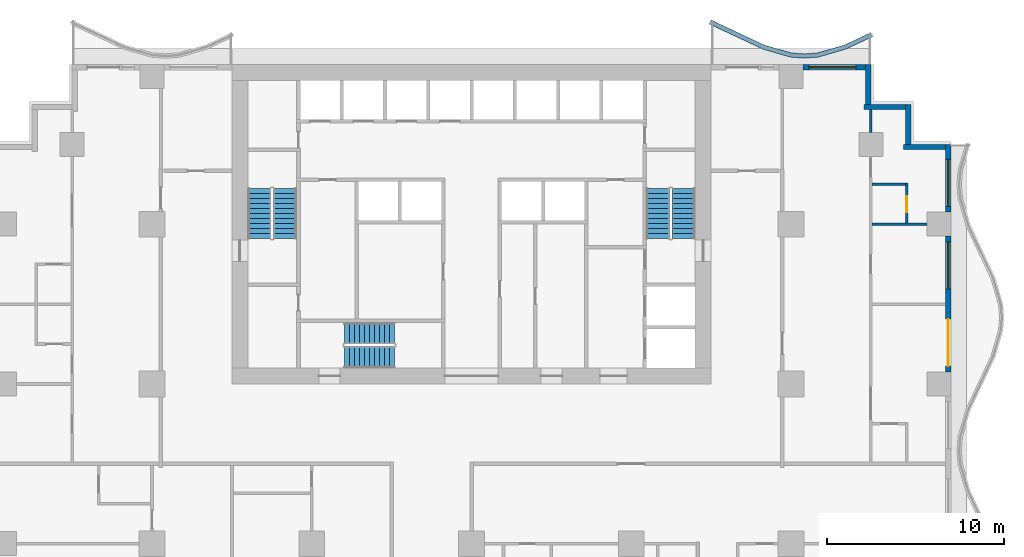
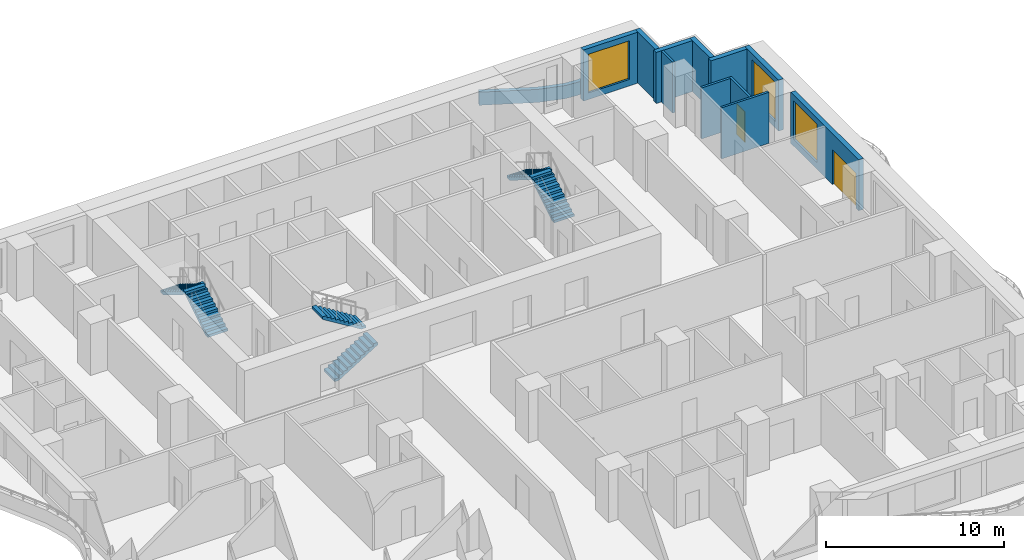
# One storey, part 7 of 14: 12 walls, 6 stair flights, 3 windows, 2 doors, 5 openings, 3 elements without a shape of their own.
"""IFC4 building model written with IfcOpenShell, lengths in metres."""

from ifc_helpers import new_model, si_unit, direction, frame, frame_2d, origin, place, context, subcontext, project, spatial, polyline, rectangle, outline, extrude, material, layer, layer_set, type_object, element, fill, aggregate, save


model = new_model("IFC4")

# Units and contexts
model_context = context("Model", 3, precision=1e-05, world=origin(), true_north=direction((0.0, 1.0)))
body_context = subcontext(model_context, "Body", "Model", "MODEL_VIEW")
ifc_project = project(units=[si_unit("LENGTHUNIT", "METRE"), si_unit("AREAUNIT", "SQUARE_METRE"), si_unit("VOLUMEUNIT", "CUBIC_METRE"), si_unit("PLANEANGLEUNIT", "RADIAN"), si_unit("MASSUNIT", "GRAM", prefix="KILO")], contexts=[model_context])

# Site, building, storey
site_placement = place(None, origin())
site = spatial("IfcSite", under=ifc_project, at=site_placement, CompositionType="ELEMENT")
building_placement = place(site_placement, origin())
building = spatial("IfcBuilding", under=site, at=building_placement, Name="Orbiselva Terraces", CompositionType="ELEMENT")
storey_placement = place(building_placement, frame((0.0, 0.0, 60.6)))
storey = spatial("IfcBuildingStorey", under=building, at=storey_placement, Name="L15", CompositionType="ELEMENT", Elevation=60.6)

# Wall
ifc_material_1 = material(Name="Concrete C40/50", Category="concrete")
ifc_layer_1 = layer(ifc_material_1, 0.25)
ifc_layer_set_1 = layer_set([ifc_layer_1], Name="Concrete C40/50")
wall_type_1 = type_object("IfcWallType", Name="ENV-PLANTER-250x900", PredefinedType="USERDEFINED", material=ifc_layer_set_1)
wall_1_placement = place(storey_placement, origin())
element("IfcWall", 1, at=wall_1_placement, inside=storey, type_object=wall_type_1, Name="Balcony planter L15 NE", ObjectType="PLANTER", PredefinedType="USERDEFINED", context=body_context, shape_type="SweptSolid", body=[
    extrude(outline(polyline([(22.5, 24.3), (21.0, 23.594658), (19.5, 23.158732), (18.75, 23.1), (18.0, 23.158732), (16.5, 23.594658), (15.0, 24.3), (13.5, 25.005342), (13.393617, 24.779106), (14.893617, 24.073764), (16.411382, 23.360069), (17.954886, 22.911499), (18.75, 22.849235), (19.545114, 22.911499), (21.088618, 23.360069), (22.606383, 24.073764), (22.5, 24.3)])), origin(), (0.0, 0.0, 1.0), 0.9),
])

# Wall, openings, door, window
ifc_material_2 = material(Name="Terracotta cladding on masonry backing", Category="masonry")
ifc_layer_2 = layer(ifc_material_2, 0.3)
ifc_layer_set_2 = layer_set([ifc_layer_2], Name="Terracotta cladding on masonry backing")
wall_type_2 = type_object("IfcWallType", Name="ENV-WALL-TERRACOTTA-300", PredefinedType="SOLIDWALL", material=ifc_layer_set_2)
wall_2_placement = place(storey_placement, frame((26.85, 12.825, 0.0), z_axis=(0.0, 0.0, 1.0), x_axis=(0.0, -1.0, 0.0)))
wall_2 = element("IfcWall", 2, at=wall_2_placement, inside=storey, type_object=wall_type_2, Name="Facade wall L15 E", PredefinedType="SOLIDWALL", context=body_context, shape_type="SweptSolid", body=[
    extrude(rectangle(XDim=7.65, YDim=0.3, at=frame_2d((3.825, 0.0))), origin(), (0.0, 0.0, 1.0), 3.5),
])
opening_1_placement = place(wall_2_placement, frame((4.675, 0.0, 0.0)))
opening_1 = element("IfcOpeningElement", 3, at=opening_1_placement, cuts=wall_2, Name="Opening Z1-E-E14", PredefinedType="OPENING", context=body_context, shape_type="SweptSolid", body=[
    extrude(rectangle(XDim=2.65, YDim=2.4, at=frame_2d((1.325, 1.2))), frame((0.0, 0.16, 0.0), z_axis=(0.0, -1.0, 0.0), x_axis=(1.0, 0.0, 0.0)), (0.0, 0.0, 1.0), 0.32),
])
opening_2_placement = place(wall_2_placement, frame((0.325, 0.0, 0.45)))
opening_2 = element("IfcOpeningElement", 4, at=opening_2_placement, cuts=wall_2, Name="Opening WN3", PredefinedType="OPENING", context=body_context, shape_type="SweptSolid", body=[
    extrude(rectangle(XDim=2.65, YDim=2.65, at=frame_2d((1.325, 1.325))), frame((0.0, 0.16, 0.0), z_axis=(0.0, -1.0, 0.0), x_axis=(1.0, 0.0, 0.0)), (0.0, 0.0, 1.0), 0.32),
])
ifc_material_3 = material(Name="Clear low-e glazing in aluminium frame", Category="aluminium")
door_type_1 = type_object("IfcDoorType", Name="BALCONY DOOR 2650 X 2400", OperationType="DOUBLE_DOOR_SLIDING", PredefinedType="DOOR", material=ifc_material_3)
door_1_placement = place(opening_1_placement, origin())
door_1 = element("IfcDoor", 5, at=door_1_placement, inside=storey, type_object=door_type_1, Name="Z1-E-E14", OperationType="SINGLE_SWING_LEFT", OverallHeight=2.4, OverallWidth=2.65, PredefinedType="DOOR", context=body_context, shape_type="SweptSolid", body=[
    extrude(rectangle(XDim=2.65, YDim=2.4, at=frame_2d((1.325, 1.2))), frame((0.0, 0.025, 0.0), z_axis=(0.0, -1.0, 0.0), x_axis=(1.0, 0.0, 0.0)), (0.0, 0.0, 1.0), 0.05),
])
fill(opening_1, door_1)
window_type = type_object("IfcWindowType", Name="WINDOW 2650 X 2650 S450", PartitioningType="TRIPLE_PANEL_VERTICAL", PredefinedType="WINDOW", material=ifc_material_3)
window_1_placement = place(opening_2_placement, origin())
window_1 = element("IfcWindow", 6, at=window_1_placement, inside=storey, type_object=window_type, Name="Window L15 E", OverallHeight=2.65, OverallWidth=2.65, PartitioningType="SINGLE_PANEL", PredefinedType="WINDOW", context=body_context, shape_type="SweptSolid", body=[
    extrude(rectangle(XDim=2.65, YDim=2.65, at=frame_2d((1.325, 1.325))), frame((0.0, 0.03, 0.0), z_axis=(0.0, -1.0, 0.0), x_axis=(1.0, 0.0, 0.0)), (0.0, 0.0, 1.0), 0.06),
])
fill(opening_2, window_1)

# Wall, opening, window
wall_3_placement = place(storey_placement, frame((26.85, 18.0, 0.0), z_axis=(0.0, 0.0, 1.0), x_axis=(0.0, -1.0, 0.0)))
wall_3 = element("IfcWall", 7, at=wall_3_placement, inside=storey, type_object=wall_type_2, Name="Facade wall L15 E", PredefinedType="SOLIDWALL", context=body_context, shape_type="SweptSolid", body=[
    extrude(rectangle(XDim=3.825, YDim=0.3, at=frame_2d((1.9125, 0.0))), origin(), (0.0, 0.0, 1.0), 3.5),
])
opening_3_placement = place(wall_3_placement, frame((0.85, 0.0, 0.45)))
opening_3 = element("IfcOpeningElement", 8, at=opening_3_placement, cuts=wall_3, Name="Opening WN3", PredefinedType="OPENING", context=body_context, shape_type="SweptSolid", body=[
    extrude(rectangle(XDim=2.65, YDim=2.65, at=frame_2d((1.325, 1.325))), frame((0.0, 0.16, 0.0), z_axis=(0.0, -1.0, 0.0), x_axis=(1.0, 0.0, 0.0)), (0.0, 0.0, 1.0), 0.32),
])
window_2_placement = place(opening_3_placement, origin())
window_2 = element("IfcWindow", 9, at=window_2_placement, inside=storey, type_object=window_type, Name="Window L15 E", OverallHeight=2.65, OverallWidth=2.65, PartitioningType="SINGLE_PANEL", PredefinedType="WINDOW", context=body_context, shape_type="SweptSolid", body=[
    extrude(rectangle(XDim=2.65, YDim=2.65, at=frame_2d((1.325, 1.325))), frame((0.0, 0.03, 0.0), z_axis=(0.0, -1.0, 0.0), x_axis=(1.0, 0.0, 0.0)), (0.0, 0.0, 1.0), 0.06),
])
fill(opening_3, window_2)

# Walls
wall_4_placement = place(storey_placement, frame((24.35, 17.85, 0.0), z_axis=(0.0, 0.0, 1.0), x_axis=(1.0, 0.0, 0.0)))
element("IfcWall", 10, at=wall_4_placement, inside=storey, type_object=wall_type_2, Name="Facade wall L15 STEP", PredefinedType="SOLIDWALL", context=body_context, shape_type="SweptSolid", body=[
    extrude(rectangle(XDim=2.35, YDim=0.3, at=frame_2d((1.175, 0.0))), origin(), (0.0, 0.0, 1.0), 3.5),
])
wall_5_placement = place(storey_placement, frame((24.6, 20.25, 0.0), z_axis=(0.0, 0.0, 1.0), x_axis=(0.0, -1.0, 0.0)))
element("IfcWall", 11, at=wall_5_placement, inside=storey, type_object=wall_type_2, Name="Facade wall L15 STEP", PredefinedType="SOLIDWALL", context=body_context, shape_type="SweptSolid", body=[
    extrude(rectangle(XDim=2.25, YDim=0.3, at=frame_2d((1.125, 0.0))), origin(), (0.0, 0.0, 1.0), 3.5),
])
wall_6_placement = place(storey_placement, frame((22.1, 20.1, 0.0), z_axis=(0.0, 0.0, 1.0), x_axis=(1.0, 0.0, 0.0)))
element("IfcWall", 12, at=wall_6_placement, inside=storey, type_object=wall_type_2, Name="Facade wall L15 STEP", PredefinedType="SOLIDWALL", context=body_context, shape_type="SweptSolid", body=[
    extrude(rectangle(XDim=2.35, YDim=0.3, at=frame_2d((1.175, 0.0))), origin(), (0.0, 0.0, 1.0), 3.5),
])
wall_7_placement = place(storey_placement, frame((22.35, 22.5, 0.0), z_axis=(0.0, 0.0, 1.0), x_axis=(0.0, -1.0, 0.0)))
element("IfcWall", 13, at=wall_7_placement, inside=storey, type_object=wall_type_2, Name="Facade wall L15 STEP", PredefinedType="SOLIDWALL", context=body_context, shape_type="SweptSolid", body=[
    extrude(rectangle(XDim=2.25, YDim=0.3, at=frame_2d((1.125, 0.0))), origin(), (0.0, 0.0, 1.0), 3.5),
])

# Wall, opening, window
wall_8_placement = place(storey_placement, frame((18.675, 22.35, 0.0), z_axis=(0.0, 0.0, 1.0), x_axis=(1.0, 0.0, 0.0)))
wall_8 = element("IfcWall", 14, at=wall_8_placement, inside=storey, type_object=wall_type_2, Name="Facade wall L15 NE", PredefinedType="SOLIDWALL", context=body_context, shape_type="SweptSolid", body=[
    extrude(rectangle(XDim=3.525, YDim=0.3, at=frame_2d((1.7625, 0.0))), origin(), (0.0, 0.0, 1.0), 3.5),
])
opening_4_placement = place(wall_8_placement, frame((0.325, 0.0, 0.45)))
opening_4 = element("IfcOpeningElement", 15, at=opening_4_placement, cuts=wall_8, Name="Opening WN3", PredefinedType="OPENING", context=body_context, shape_type="SweptSolid", body=[
    extrude(rectangle(XDim=2.65, YDim=2.65, at=frame_2d((1.325, 1.325))), frame((0.0, 0.16, 0.0), z_axis=(0.0, -1.0, 0.0), x_axis=(1.0, 0.0, 0.0)), (0.0, 0.0, 1.0), 0.32),
])
window_3_placement = place(opening_4_placement, origin())
window_3 = element("IfcWindow", 16, at=window_3_placement, inside=storey, type_object=window_type, Name="Window L15 NE", OverallHeight=2.65, OverallWidth=2.65, PartitioningType="SINGLE_PANEL", PredefinedType="WINDOW", context=body_context, shape_type="SweptSolid", body=[
    extrude(rectangle(XDim=2.65, YDim=2.65, at=frame_2d((1.325, 1.325))), frame((0.0, 0.03, 0.0), z_axis=(0.0, -1.0, 0.0), x_axis=(1.0, 0.0, 0.0)), (0.0, 0.0, 1.0), 0.06),
])
fill(opening_4, window_3)

# Walls
ifc_material_4 = material(Name="Plasterboard on steel stud partition", Category="steel")
ifc_layer_3 = layer(ifc_material_4, 0.15)
ifc_layer_set_3 = layer_set([ifc_layer_3], Name="Plasterboard on steel stud partition")
wall_type_3 = type_object("IfcWallType", Name="UNIT-PARTITION-150", PredefinedType="PARTITIONING", material=ifc_layer_set_3)
wall_9_placement = place(storey_placement, frame((22.575, 13.5, 0.0), z_axis=(0.0, 0.0, 1.0), x_axis=(1.0, 0.0, 0.0)))
element("IfcWall", 17, at=wall_9_placement, inside=storey, type_object=wall_type_3, Name="PARTITION L15-040", PredefinedType="PARTITIONING", context=body_context, shape_type="SweptSolid", body=[
    extrude(rectangle(XDim=3.075, YDim=0.15, at=frame_2d((1.5375, 0.0))), origin(), (0.0, 0.0, 1.0), 3.5),
])
wall_10_placement = place(storey_placement, frame((22.575, 15.75, 0.0), z_axis=(0.0, 0.0, 1.0), x_axis=(1.0, 0.0, 0.0)))
element("IfcWall", 18, at=wall_10_placement, inside=storey, type_object=wall_type_3, Name="PARTITION L15-041", PredefinedType="PARTITIONING", context=body_context, shape_type="SweptSolid", body=[
    extrude(rectangle(XDim=1.875, YDim=0.15, at=frame_2d((0.9375, 0.0))), origin(), (0.0, 0.0, 1.0), 3.5),
])
wall_11_placement = place(storey_placement, frame((22.5, 18.675, 0.0), z_axis=(0.0, 0.0, 1.0), x_axis=(0.0, 1.0, 0.0)))
element("IfcWall", 19, at=wall_11_placement, inside=storey, type_object=wall_type_3, Name="PARTITION L15-087", PredefinedType="PARTITIONING", context=body_context, shape_type="SweptSolid", body=[
    extrude(rectangle(XDim=1.275, YDim=0.15, at=frame_2d((0.6375, 0.0))), origin(), (0.0, 0.0, 1.0), 3.5),
])

# Wall, opening, door
wall_12_placement = place(storey_placement, frame((24.525, 13.575, 0.0), z_axis=(0.0, 0.0, 1.0), x_axis=(0.0, 1.0, 0.0)))
wall_12 = element("IfcWall", 20, at=wall_12_placement, inside=storey, type_object=wall_type_3, Name="PARTITION L15-090", PredefinedType="PARTITIONING", context=body_context, shape_type="SweptSolid", body=[
    extrude(rectangle(XDim=2.25, YDim=0.15, at=frame_2d((1.125, 0.0))), origin(), (0.0, 0.0, 1.0), 3.5),
])
opening_5_placement = place(wall_12_placement, frame((0.6, 0.0, 0.0)))
opening_5 = element("IfcOpeningElement", 21, at=opening_5_placement, cuts=wall_12, Name="Opening Z1-E-14", PredefinedType="OPENING", context=body_context, shape_type="SweptSolid", body=[
    extrude(rectangle(XDim=0.9, YDim=2.1, at=frame_2d((0.45, 1.05))), frame((0.0, 0.085, 0.0), z_axis=(0.0, -1.0, 0.0), x_axis=(1.0, 0.0, 0.0)), (0.0, 0.0, 1.0), 0.17),
])
ifc_material_5 = material(Name="Painted timber door leaf", Category="wood")
door_type_2 = type_object("IfcDoorType", Name="BATH DOOR 900", OperationType="NOTDEFINED", PredefinedType="DOOR", material=ifc_material_5)
door_2_placement = place(opening_5_placement, origin())
door_2 = element("IfcDoor", 22, at=door_2_placement, inside=storey, type_object=door_type_2, Name="Z1-E-14", OperationType="SINGLE_SWING_LEFT", OverallHeight=2.1, OverallWidth=0.9, PredefinedType="DOOR", context=body_context, shape_type="SweptSolid", body=[
    extrude(rectangle(XDim=0.9, YDim=2.1, at=frame_2d((0.45, 1.05))), frame((0.0, 0.025, 0.0), z_axis=(0.0, -1.0, 0.0), x_axis=(1.0, 0.0, 0.0)), (0.0, 0.0, 1.0), 0.05),
])
fill(opening_5, door_2)

# Stair, stair flights
stair_type_1 = type_object("IfcStairType", Name="CORE-STAIR-1200", PredefinedType="HALF_TURN_STAIR", material=ifc_material_1)
stair_1_placement = place(storey_placement, origin())
stair_1 = element("IfcStair", 23, at=stair_1_placement, inside=storey, type_object=stair_type_1, Name="L15 Exit Stair S3", PredefinedType="HALF_TURN_STAIR")
stair_flight_type_1 = type_object("IfcStairFlightType", Name="CORE-STAIR-FLIGHT-1200", PredefinedType="STRAIGHT", material=ifc_material_1)
stair_flight_1_placement = place(storey_placement, frame((-7.15, 6.0, 0.0), z_axis=(0.0, 0.0, 1.0), x_axis=(1.0, 0.0, 0.0)))
stair_flight_1 = element("IfcStairFlight", 24, at=stair_flight_1_placement, type_object=stair_flight_type_1, Name="S3 flight 1", NumberOfRisers=11, NumberOfTreads=10, PredefinedType="STRAIGHT", RiserHeight=0.172727273, TreadLength=0.28, context=body_context, shape_type="SweptSolid", body=[
    extrude(outline(polyline([(0.0, 0.0), (0.0, 0.172727), (0.28, 0.172727), (0.28, 0.345455), (0.56, 0.345455), (0.56, 0.518182), (0.84, 0.518182), (0.84, 0.690909), (1.12, 0.690909), (1.12, 0.863636), (1.4, 0.863636), (1.4, 1.036364), (1.68, 1.036364), (1.68, 1.209091), (1.96, 1.209091), (1.96, 1.381818), (2.24, 1.381818), (2.24, 1.554545), (2.52, 1.554545), (2.52, 1.727273), (2.8, 1.727273), (2.8, 1.9), (2.8, 1.551028), (0.285702, 0.0), (0.0, 0.0)])), frame((0.0, 0.6, 0.0), z_axis=(0.0, -1.0, 0.0), x_axis=(1.0, 0.0, 0.0)), (0.0, 0.0, 1.0), 1.2),
])
stair_flight_2_placement = place(storey_placement, frame((-4.35, 7.35, 1.9), z_axis=(0.0, 0.0, 1.0), x_axis=(-1.0, 0.0, 0.0)))
stair_flight_2 = element("IfcStairFlight", 25, at=stair_flight_2_placement, type_object=stair_flight_type_1, Name="S3 flight 2", NumberOfRisers=11, NumberOfTreads=10, PredefinedType="STRAIGHT", RiserHeight=0.172727273, TreadLength=0.28, context=body_context, shape_type="SweptSolid", body=[
    extrude(outline(polyline([(0.0, 0.0), (0.0, 0.172727), (0.28, 0.172727), (0.28, 0.345455), (0.56, 0.345455), (0.56, 0.518182), (0.84, 0.518182), (0.84, 0.690909), (1.12, 0.690909), (1.12, 0.863636), (1.4, 0.863636), (1.4, 1.036364), (1.68, 1.036364), (1.68, 1.209091), (1.96, 1.209091), (1.96, 1.381818), (2.24, 1.381818), (2.24, 1.554545), (2.52, 1.554545), (2.52, 1.727273), (2.8, 1.727273), (2.8, 1.9), (2.8, 1.551028), (0.285702, 0.0), (0.0, 0.0)])), frame((0.0, 0.6, 0.0), z_axis=(0.0, -1.0, 0.0), x_axis=(1.0, 0.0, 0.0)), (0.0, 0.0, 1.0), 1.2),
])
aggregate(stair_1, [stair_flight_1, stair_flight_2])

stair_type_2 = type_object("IfcStairType", Name="CORE-STAIR-1300", PredefinedType="HALF_TURN_STAIR", material=ifc_material_1)
stair_2_placement = place(storey_placement, origin())
stair_2 = element("IfcStair", 26, at=stair_2_placement, inside=storey, type_object=stair_type_2, Name="L15 Exit Stair S1", PredefinedType="HALF_TURN_STAIR")
stair_flight_type_2 = type_object("IfcStairFlightType", Name="CORE-STAIR-FLIGHT-1300", PredefinedType="STRAIGHT", material=ifc_material_1)
stair_flight_3_placement = place(storey_placement, frame((-10.5, 12.7, 0.0), z_axis=(0.0, 0.0, 1.0), x_axis=(0.0, 1.0, 0.0)))
stair_flight_3 = element("IfcStairFlight", 27, at=stair_flight_3_placement, type_object=stair_flight_type_2, Name="S1 flight 1", NumberOfRisers=11, NumberOfTreads=10, PredefinedType="STRAIGHT", RiserHeight=0.172727273, TreadLength=0.28, context=body_context, shape_type="SweptSolid", body=[
    extrude(outline(polyline([(0.0, 0.0), (0.0, 0.172727), (0.28, 0.172727), (0.28, 0.345455), (0.56, 0.345455), (0.56, 0.518182), (0.84, 0.518182), (0.84, 0.690909), (1.12, 0.690909), (1.12, 0.863636), (1.4, 0.863636), (1.4, 1.036364), (1.68, 1.036364), (1.68, 1.209091), (1.96, 1.209091), (1.96, 1.381818), (2.24, 1.381818), (2.24, 1.554545), (2.52, 1.554545), (2.52, 1.727273), (2.8, 1.727273), (2.8, 1.9), (2.8, 1.551028), (0.285702, 0.0), (0.0, 0.0)])), frame((0.0, 0.65, 0.0), z_axis=(0.0, -1.0, 0.0), x_axis=(1.0, 0.0, 0.0)), (0.0, 0.0, 1.0), 1.3),
])
stair_flight_4_placement = place(storey_placement, frame((-11.95, 15.5, 1.9), z_axis=(0.0, 0.0, 1.0), x_axis=(0.0, -1.0, 0.0)))
stair_flight_4 = element("IfcStairFlight", 28, at=stair_flight_4_placement, type_object=stair_flight_type_2, Name="S1 flight 2", NumberOfRisers=11, NumberOfTreads=10, PredefinedType="STRAIGHT", RiserHeight=0.172727273, TreadLength=0.28, context=body_context, shape_type="SweptSolid", body=[
    extrude(outline(polyline([(0.0, 0.0), (0.0, 0.172727), (0.28, 0.172727), (0.28, 0.345455), (0.56, 0.345455), (0.56, 0.518182), (0.84, 0.518182), (0.84, 0.690909), (1.12, 0.690909), (1.12, 0.863636), (1.4, 0.863636), (1.4, 1.036364), (1.68, 1.036364), (1.68, 1.209091), (1.96, 1.209091), (1.96, 1.381818), (2.24, 1.381818), (2.24, 1.554545), (2.52, 1.554545), (2.52, 1.727273), (2.8, 1.727273), (2.8, 1.9), (2.8, 1.551028), (0.285702, 0.0), (0.0, 0.0)])), frame((0.0, 0.65, 0.0), z_axis=(0.0, -1.0, 0.0), x_axis=(1.0, 0.0, 0.0)), (0.0, 0.0, 1.0), 1.3),
])
aggregate(stair_2, [stair_flight_3, stair_flight_4])

stair_3_placement = place(storey_placement, origin())
stair_3 = element("IfcStair", 29, at=stair_3_placement, inside=storey, type_object=stair_type_2, Name="L15 Exit Stair S2", PredefinedType="HALF_TURN_STAIR")
stair_flight_5_placement = place(storey_placement, frame((11.95, 12.7, 0.0), z_axis=(0.0, 0.0, 1.0), x_axis=(0.0, 1.0, 0.0)))
stair_flight_5 = element("IfcStairFlight", 30, at=stair_flight_5_placement, type_object=stair_flight_type_2, Name="S2 flight 1", NumberOfRisers=11, NumberOfTreads=10, PredefinedType="STRAIGHT", RiserHeight=0.172727273, TreadLength=0.28, context=body_context, shape_type="SweptSolid", body=[
    extrude(outline(polyline([(0.0, 0.0), (0.0, 0.172727), (0.28, 0.172727), (0.28, 0.345455), (0.56, 0.345455), (0.56, 0.518182), (0.84, 0.518182), (0.84, 0.690909), (1.12, 0.690909), (1.12, 0.863636), (1.4, 0.863636), (1.4, 1.036364), (1.68, 1.036364), (1.68, 1.209091), (1.96, 1.209091), (1.96, 1.381818), (2.24, 1.381818), (2.24, 1.554545), (2.52, 1.554545), (2.52, 1.727273), (2.8, 1.727273), (2.8, 1.9), (2.8, 1.551028), (0.285702, 0.0), (0.0, 0.0)])), frame((0.0, 0.65, 0.0), z_axis=(0.0, -1.0, 0.0), x_axis=(1.0, 0.0, 0.0)), (0.0, 0.0, 1.0), 1.3),
])
stair_flight_6_placement = place(storey_placement, frame((10.5, 15.5, 1.9), z_axis=(0.0, 0.0, 1.0), x_axis=(0.0, -1.0, 0.0)))
stair_flight_6 = element("IfcStairFlight", 31, at=stair_flight_6_placement, type_object=stair_flight_type_2, Name="S2 flight 2", NumberOfRisers=11, NumberOfTreads=10, PredefinedType="STRAIGHT", RiserHeight=0.172727273, TreadLength=0.28, context=body_context, shape_type="SweptSolid", body=[
    extrude(outline(polyline([(0.0, 0.0), (0.0, 0.172727), (0.28, 0.172727), (0.28, 0.345455), (0.56, 0.345455), (0.56, 0.518182), (0.84, 0.518182), (0.84, 0.690909), (1.12, 0.690909), (1.12, 0.863636), (1.4, 0.863636), (1.4, 1.036364), (1.68, 1.036364), (1.68, 1.209091), (1.96, 1.209091), (1.96, 1.381818), (2.24, 1.381818), (2.24, 1.554545), (2.52, 1.554545), (2.52, 1.727273), (2.8, 1.727273), (2.8, 1.9), (2.8, 1.551028), (0.285702, 0.0), (0.0, 0.0)])), frame((0.0, 0.65, 0.0), z_axis=(0.0, -1.0, 0.0), x_axis=(1.0, 0.0, 0.0)), (0.0, 0.0, 1.0), 1.3),
])
aggregate(stair_3, [stair_flight_5, stair_flight_6])

save(model, "model.ifc")
